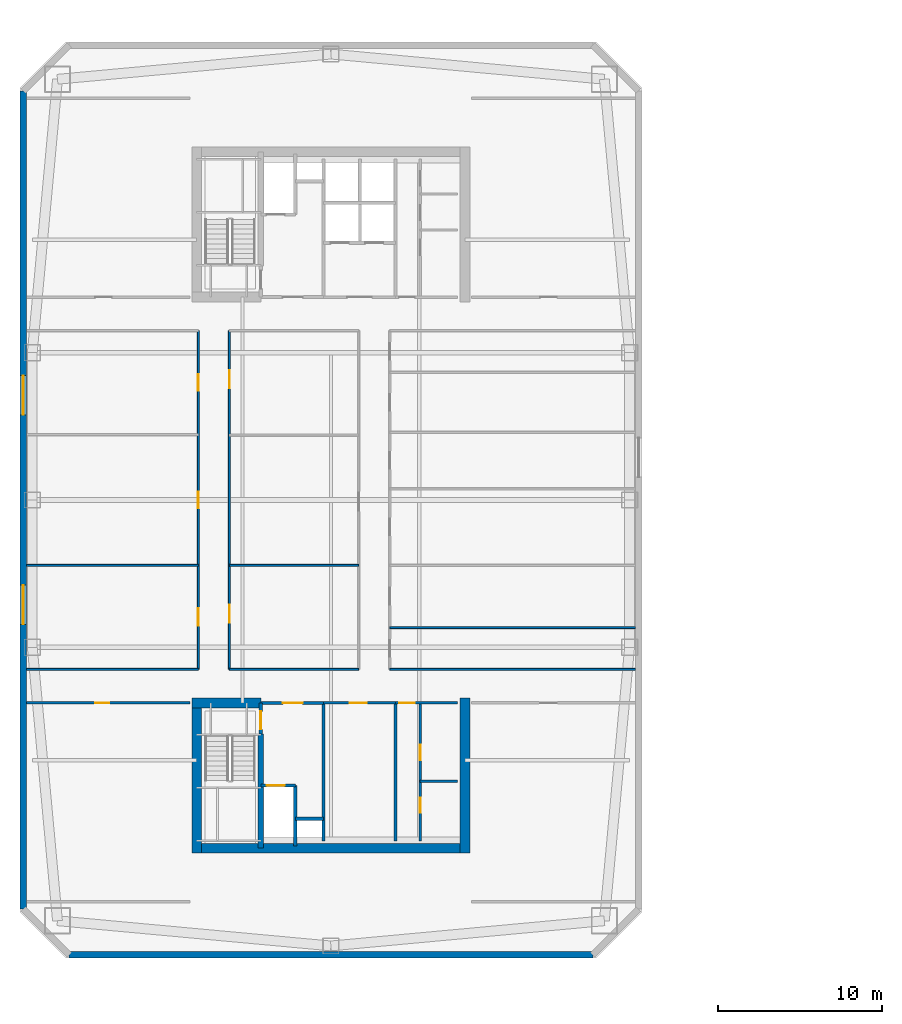
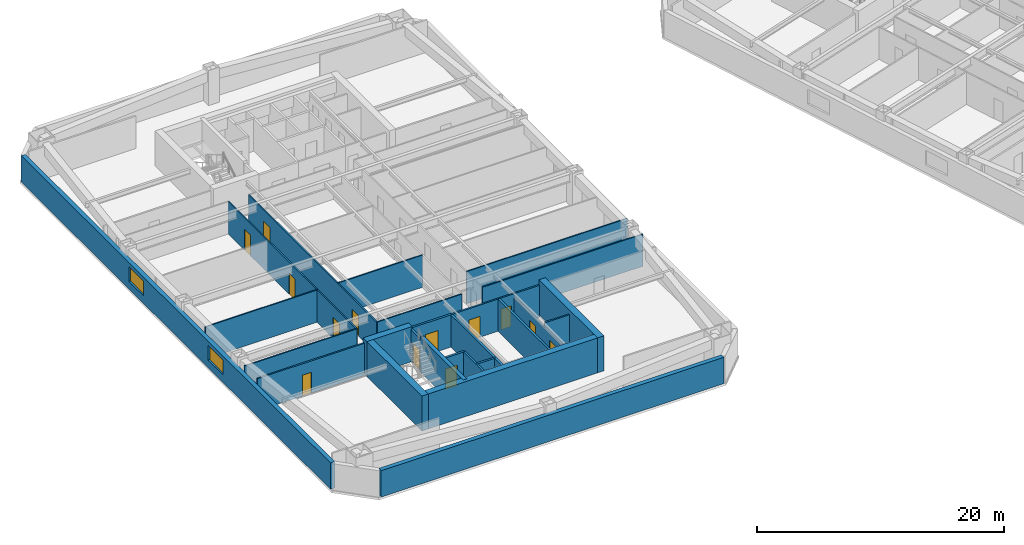
# One storey, part 3 of 11: 27 walls, 13 doors, 2 windows, 15 openings.
"""IFC4 building model written with IfcOpenShell, lengths in metres."""

from ifc_helpers import new_model, si_unit, direction, frame, frame_2d, origin, place, context, subcontext, project, spatial, rectangle, extrude, material, layer, layer_set, type_object, element, fill, save


model = new_model("IFC4")

# Units and contexts
model_context = context("Model", 3, precision=1e-05, world=origin(), true_north=direction((0.0, 1.0)))
body_context = subcontext(model_context, "Body", "Model", "MODEL_VIEW")
ifc_project = project(units=[si_unit("LENGTHUNIT", "METRE"), si_unit("AREAUNIT", "SQUARE_METRE"), si_unit("VOLUMEUNIT", "CUBIC_METRE"), si_unit("PLANEANGLEUNIT", "RADIAN"), si_unit("MASSUNIT", "GRAM", prefix="KILO")], contexts=[model_context])

# Site, building, storey
site_placement = place(None, origin())
site = spatial("IfcSite", under=ifc_project, at=site_placement, CompositionType="ELEMENT")
building_placement = place(site_placement, origin())
building = spatial("IfcBuilding", under=site, at=building_placement, Name="Qiaolan Cultural Towers", CompositionType="ELEMENT")
storey_placement = place(building_placement, frame((0.0, 0.0, 117.300048828125)))
storey = spatial("IfcBuildingStorey", under=building, at=storey_placement, Name="L30", CompositionType="ELEMENT", Elevation=117.300048828125)

# Walls
ifc_material_1 = material(Name="Concrete C50", Category="concrete")
ifc_layer_1 = layer(ifc_material_1, 0.35009765625)
ifc_layer_set_1 = layer_set([ifc_layer_1], Name="Concrete C50")
wall_type_1 = type_object("IfcWallType", Name="WL-CORE-350", PredefinedType="SHEAR", material=ifc_layer_set_1)
wall_1_placement = place(storey_placement, frame((25.719970703125, 19.699951171875, 0.0), z_axis=(0.0, 0.0, 1.0), x_axis=(0.0, -1.0, 0.0)))
element("IfcWall", 1, at=wall_1_placement, inside=storey, type_object=wall_type_1, Name="L30 T1-CS Stair Core Dividing Web", PredefinedType="SHEAR", context=body_context, shape_type="SweptSolid", body=[
    extrude(rectangle(XDim=6.97998046875, YDim=0.35009765625, at=frame_2d((3.489990234375, 0.0))), origin(), (0.0, 0.0, 1.0), 3.449951171875),
])
ifc_material_2 = material(Name="Concrete C55", Category="concrete")
ifc_layer_2 = layer(ifc_material_2, 0.60009765625)
ifc_layer_set_2 = layer_set([ifc_layer_2], Name="Concrete C55")
wall_type_2 = type_object("IfcWallType", Name="WL-CORE-600", PredefinedType="SHEAR", material=ifc_layer_set_2)
wall_2_placement = place(storey_placement, frame((21.5, 12.719970703125, 0.0), z_axis=(0.0, 0.0, 1.0), x_axis=(1.0, 0.0, 0.0)))
element("IfcWall", 2, at=wall_2_placement, inside=storey, type_object=wall_type_2, Name="L30 T1-CS Outer Core Shear Wall", PredefinedType="SHEAR", context=body_context, shape_type="SweptSolid", body=[
    extrude(rectangle(XDim=17.0, YDim=0.60009765625, at=frame_2d((8.5, 0.0))), origin(), (0.0, 0.0, 1.0), 3.449951171875),
])
for number, where, z_axis, x_axis, name in (
    (3, (21.800048828125, 21.89990234375, 0.0), (0.0, 0.0, 1.0), (0.0, -1.0, 0.0), "L30 T1-CS West Core Shear Wall"),
    (4, (38.199951171875, 21.89990234375, 0.0), (0.0, 0.0, 1.0), (0.0, -1.0, 0.0), "L30 T1-CS East Core Shear Wall"),
):
    element("IfcWall", number, at=place(storey_placement, frame(where, z_axis=z_axis, x_axis=x_axis)), inside=storey, type_object=wall_type_2, Name=name, PredefinedType="SHEAR", context=body_context, shape_type="SweptSolid", body=[
        extrude(rectangle(XDim=9.47998046875, YDim=0.60009765625, at=frame_2d((4.739990234375, 0.0))), origin(), (0.0, 0.0, 1.0), 3.449951171875),
    ])
wall_3_placement = place(storey_placement, frame((21.5, 21.60009765625, 0.0), z_axis=(0.0, 0.0, 1.0), x_axis=(1.0, 0.0, 0.0)))
element("IfcWall", 5, at=wall_3_placement, inside=storey, type_object=wall_type_2, Name="L30 T1-CS Stair Front Shear Wall", PredefinedType="SHEAR", context=body_context, shape_type="SweptSolid", body=[
    extrude(rectangle(XDim=4.219970703125, YDim=0.60009765625, at=frame_2d((2.10986328125, 0.0))), origin(), (0.0, 0.0, 1.0), 3.449951171875),
])

# Wall, openings, windows
ifc_material_3 = material(Name="Precast Concrete C50 Honed Stone Pier", Category="masonry")
ifc_layer_3 = layer(ifc_material_3, 0.39990234375)
ifc_layer_set_3 = layer_set([ifc_layer_3], Name="Precast Concrete C50 Honed Stone Pier")
wall_type_3 = type_object("IfcWallType", Name="WL-EXT-PIER-400", PredefinedType="SOLIDWALL", material=ifc_layer_set_3)
wall_4_placement = place(storey_placement, frame((11.199951171875, 9.0, 0.0), z_axis=(0.0, 0.0, 1.0), x_axis=(0.0, 1.0, 0.0)))
wall_4 = element("IfcWall", 6, at=wall_4_placement, inside=storey, type_object=wall_type_3, Name="L30 West Tower Precast Pier Facade Wall F1", PredefinedType="SOLIDWALL", context=body_context, shape_type="SweptSolid", body=[
    extrude(rectangle(XDim=50.0, YDim=0.39990234375, at=frame_2d((25.0, 0.0))), origin(), (0.0, 0.0, 1.0), 2.60986328125),
])
opening_1_placement = place(wall_4_placement, frame((17.39990234375, 0.0, 0.75)))
opening_1 = element("IfcOpeningElement", 7, at=opening_1_placement, cuts=wall_4, Name="Opening W-02", PredefinedType="OPENING", context=body_context, shape_type="SweptSolid", body=[
    extrude(rectangle(XDim=2.39990234375, YDim=1.4599609375, at=frame_2d((1.199951171875, 0.72998046875))), frame((0.0, 0.2099609375, 0.0), z_axis=(0.0, -1.0, 0.0), x_axis=(1.0, 0.0, 0.0)), (0.0, 0.0, 1.0), 0.419921875),
])
opening_2_placement = place(wall_4_placement, frame((30.199951171875, 0.0, 0.75)))
opening_2 = element("IfcOpeningElement", 8, at=opening_2_placement, cuts=wall_4, Name="Opening W-02", PredefinedType="OPENING", context=body_context, shape_type="SweptSolid", body=[
    extrude(rectangle(XDim=2.39990234375, YDim=1.4599609375, at=frame_2d((1.199951171875, 0.72998046875))), frame((0.0, 0.2099609375, 0.0), z_axis=(0.0, -1.0, 0.0), x_axis=(1.0, 0.0, 0.0)), (0.0, 0.0, 1.0), 0.419921875),
])
ifc_material_4 = material(Name="Thermally Broken Aluminium Triple Low-E Glazing", Category="aluminium")
window_type = type_object("IfcWindowType", Name="WN-CHIC-2400", PartitioningType="SINGLE_PANEL", PredefinedType="WINDOW", material=ifc_material_4)
window_1_placement = place(opening_1_placement, origin())
window_1 = element("IfcWindow", 9, at=window_1_placement, inside=storey, type_object=window_type, Name="L30 T1 W Chicago Bay Window 1", OverallHeight=1.4599609375, OverallWidth=2.39990234375, PartitioningType="TRIPLE_PANEL_VERTICAL", PredefinedType="WINDOW", context=body_context, shape_type="SweptSolid", body=[
    extrude(rectangle(XDim=2.39990234375, YDim=1.4599609375, at=frame_2d((1.199951171875, 0.72998046875))), frame((0.0, 0.030029296875, 0.0), z_axis=(0.0, -1.0, 0.0), x_axis=(1.0, 0.0, 0.0)), (0.0, 0.0, 1.0), 0.06005859375),
])
fill(opening_1, window_1)
window_2_placement = place(opening_2_placement, origin())
window_2 = element("IfcWindow", 10, at=window_2_placement, inside=storey, type_object=window_type, Name="L30 T1 W Chicago Bay Window 2", OverallHeight=1.4599609375, OverallWidth=2.39990234375, PartitioningType="TRIPLE_PANEL_VERTICAL", PredefinedType="WINDOW", context=body_context, shape_type="SweptSolid", body=[
    extrude(rectangle(XDim=2.39990234375, YDim=1.4599609375, at=frame_2d((1.199951171875, 0.72998046875))), frame((0.0, 0.030029296875, 0.0), z_axis=(0.0, -1.0, 0.0), x_axis=(1.0, 0.0, 0.0)), (0.0, 0.0, 1.0), 0.06005859375),
])
fill(opening_2, window_2)

# Wall
wall_5_placement = place(storey_placement, frame((46.0, 6.199951171875, 0.0), z_axis=(0.0, 0.0, 1.0), x_axis=(-1.0, 0.0, 0.0)))
element("IfcWall", 11, at=wall_5_placement, inside=storey, type_object=wall_type_3, Name="L30 West Tower Precast Pier Facade Wall F7", PredefinedType="SOLIDWALL", context=body_context, shape_type="SweptSolid", body=[
    extrude(rectangle(XDim=32.0, YDim=0.39990234375, at=frame_2d((16.0, 0.0))), origin(), (0.0, 0.0, 1.0), 2.60986328125),
])

# Wall, opening, door
ifc_material_5 = material(Name="Concrete C35 Fire Wall", Category="concrete")
ifc_layer_4 = layer(ifc_material_5, 0.199951171875)
ifc_layer_set_4 = layer_set([ifc_layer_4], Name="Concrete C35 Fire Wall")
wall_type_4 = type_object("IfcWallType", Name="WL-FIRE-200", PredefinedType="PARTITIONING", material=ifc_layer_set_4)
wall_6_placement = place(storey_placement, frame((25.719970703125, 21.60009765625, 0.0), z_axis=(0.0, 0.0, 1.0), x_axis=(0.0, -1.0, 0.0)))
wall_6 = element("IfcWall", 12, at=wall_6_placement, inside=storey, type_object=wall_type_4, Name="L30 T1-CS Smokeproof Stair Entry Wall", PredefinedType="PARTITIONING", context=body_context, shape_type="SweptSolid", body=[
    extrude(rectangle(XDim=1.900146484375, YDim=0.199951171875, at=frame_2d((0.9501953125, 0.0))), origin(), (0.0, 0.0, 1.0), 3.175048828125),
])
opening_3_placement = place(wall_6_placement, frame((0.52001953125, 0.0, 0.0)))
opening_3 = element("IfcOpeningElement", 13, at=opening_3_placement, cuts=wall_6, Name="Opening FD-04", PredefinedType="OPENING", context=body_context, shape_type="SweptSolid", body=[
    extrude(rectangle(XDim=1.10009765625, YDim=2.050048828125, at=frame_2d((0.550048828125, 1.02490234375))), frame((0.0, 0.10986328125, 0.0), z_axis=(0.0, -1.0, 0.0), x_axis=(1.0, 0.0, 0.0)), (0.0, 0.0, 1.0), 0.219970703125),
])
ifc_material_6 = material(Name="Galvanized Steel Command Fire Door", Category="steel")
door_type_1 = type_object("IfcDoorType", Name="DR-FD90-1100", OperationType="NOTDEFINED", PredefinedType="DOOR", material=ifc_material_6)
door_1_placement = place(opening_3_placement, origin())
door_1 = element("IfcDoor", 14, at=door_1_placement, inside=storey, type_object=door_type_1, Name="L30 ST-W1 Smokeproof Stair Fire Door", OperationType="SINGLE_SWING_LEFT", OverallHeight=2.050048828125, OverallWidth=1.10009765625, PredefinedType="DOOR", context=body_context, shape_type="SweptSolid", body=[
    extrude(rectangle(XDim=1.10009765625, YDim=2.050048828125, at=frame_2d((0.550048828125, 1.02490234375))), frame((0.0, 0.02490234375, 0.0), z_axis=(0.0, -1.0, 0.0), x_axis=(1.0, 0.0, 0.0)), (0.0, 0.0, 1.0), 0.050048828125),
])
fill(opening_3, door_1)

# Wall
wall_7_placement = place(storey_placement, frame((29.550048828125, 21.60009765625, 0.0), z_axis=(0.0, 0.0, 1.0), x_axis=(0.0, -1.0, 0.0)))
element("IfcWall", 15, at=wall_7_placement, inside=storey, type_object=wall_type_4, Name="L30 T1-CS Firefighting Zone Wall", PredefinedType="PARTITIONING", context=body_context, shape_type="SweptSolid", body=[
    extrude(rectangle(XDim=8.43017578125, YDim=0.199951171875, at=frame_2d((4.215087890625, 0.0))), origin(), (0.0, 0.0, 1.0), 3.175048828125),
])

# Wall, opening, door
wall_8_placement = place(storey_placement, frame((25.719970703125, 21.60009765625, 0.0), z_axis=(0.0, 0.0, 1.0), x_axis=(1.0, 0.0, 0.0)))
wall_8 = element("IfcWall", 16, at=wall_8_placement, inside=storey, type_object=wall_type_4, Name="L30 T1-CS Firefighting Lobby Front Wall", PredefinedType="PARTITIONING", context=body_context, shape_type="SweptSolid", body=[
    extrude(rectangle(XDim=3.830078125, YDim=0.199951171875, at=frame_2d((1.9150390625, 0.0))), origin(), (0.0, 0.0, 1.0), 3.175048828125),
])
opening_4_placement = place(wall_8_placement, frame((1.35009765625, 0.0, 0.0)))
opening_4 = element("IfcOpeningElement", 17, at=opening_4_placement, cuts=wall_8, Name="Opening FD-03", PredefinedType="OPENING", context=body_context, shape_type="SweptSolid", body=[
    extrude(rectangle(XDim=1.199951171875, YDim=2.050048828125, at=frame_2d((0.60009765625, 1.02490234375))), frame((0.0, 0.10986328125, 0.0), z_axis=(0.0, -1.0, 0.0), x_axis=(1.0, 0.0, 0.0)), (0.0, 0.0, 1.0), 0.219970703125),
])
ifc_material_7 = material(Name="Galvanized Steel Smokeproof Lobby Fire Door", Category="steel")
door_type_2 = type_object("IfcDoorType", Name="DR-FD90-1200", OperationType="NOTDEFINED", PredefinedType="DOOR", material=ifc_material_7)
door_2_placement = place(opening_4_placement, origin())
door_2 = element("IfcDoor", 18, at=door_2_placement, inside=storey, type_object=door_type_2, Name="L30 FFL-W1 Firefighting Lobby Fire Door", OperationType="SINGLE_SWING_LEFT", OverallHeight=2.050048828125, OverallWidth=1.199951171875, PredefinedType="DOOR", context=body_context, shape_type="SweptSolid", body=[
    extrude(rectangle(XDim=1.199951171875, YDim=2.050048828125, at=frame_2d((0.60009765625, 1.02490234375))), frame((0.0, 0.02490234375, 0.0), z_axis=(0.0, -1.0, 0.0), x_axis=(1.0, 0.0, 0.0)), (0.0, 0.0, 1.0), 0.050048828125),
])
fill(opening_4, door_2)

wall_9_placement = place(storey_placement, frame((25.719970703125, 16.550048828125, 0.0), z_axis=(0.0, 0.0, 1.0), x_axis=(1.0, 0.0, 0.0)))
wall_9 = element("IfcWall", 19, at=wall_9_placement, inside=storey, type_object=wall_type_4, Name="L30 T1-CS Firefighting Shaft Front Wall", PredefinedType="PARTITIONING", context=body_context, shape_type="SweptSolid", body=[
    extrude(rectangle(XDim=2.10009765625, YDim=0.199951171875, at=frame_2d((1.050048828125, 0.0))), origin(), (0.0, 0.0, 1.0), 3.175048828125),
])
opening_5_placement = place(wall_9_placement, frame((0.35009765625, 0.0, 0.0)))
opening_5 = element("IfcOpeningElement", 20, at=opening_5_placement, cuts=wall_9, Name="Opening LD-01", PredefinedType="OPENING", context=body_context, shape_type="SweptSolid", body=[
    extrude(rectangle(XDim=1.10009765625, YDim=2.050048828125, at=frame_2d((0.550048828125, 1.02490234375))), frame((0.0, 0.10986328125, 0.0), z_axis=(0.0, -1.0, 0.0), x_axis=(1.0, 0.0, 0.0)), (0.0, 0.0, 1.0), 0.219970703125),
])
ifc_material_8 = material(Name="Brushed Stainless Steel S30408 Centre-Parting Lift Landing Door", Category="steel")
door_type_3 = type_object("IfcDoorType", Name="DR-LIFT-1100", OperationType="NOTDEFINED", PredefinedType="DOOR", material=ifc_material_8)
door_3_placement = place(opening_5_placement, origin())
door_3 = element("IfcDoor", 21, at=door_3_placement, inside=storey, type_object=door_type_3, Name="L30 FFL-W1 Firefighting Lift Landing Door", OperationType="DOUBLE_DOOR_SLIDING", OverallHeight=2.050048828125, OverallWidth=1.10009765625, PredefinedType="DOOR", context=body_context, shape_type="SweptSolid", body=[
    extrude(rectangle(XDim=1.10009765625, YDim=2.050048828125, at=frame_2d((0.550048828125, 1.02490234375))), frame((0.0, 0.02490234375, 0.0), z_axis=(0.0, -1.0, 0.0), x_axis=(1.0, 0.0, 0.0)), (0.0, 0.0, 1.0), 0.050048828125),
])
fill(opening_5, door_3)

# Walls
wall_10_placement = place(storey_placement, frame((27.820068359375, 16.550048828125, 0.0), z_axis=(0.0, 0.0, 1.0), x_axis=(0.0, -1.0, 0.0)))
element("IfcWall", 22, at=wall_10_placement, inside=storey, type_object=wall_type_4, Name="L30 T1-CS Firefighting Hoistway East Wall", PredefinedType="PARTITIONING", context=body_context, shape_type="SweptSolid", body=[
    extrude(rectangle(XDim=3.699951171875, YDim=0.199951171875, at=frame_2d((1.85009765625, 0.0))), origin(), (0.0, 0.0, 1.0), 3.175048828125),
])
wall_11_placement = place(storey_placement, frame((27.820068359375, 14.52001953125, 0.0), z_axis=(0.0, 0.0, 1.0), x_axis=(1.0, 0.0, 0.0)))
element("IfcWall", 23, at=wall_11_placement, inside=storey, type_object=wall_type_4, Name="L30 T1-CS Pressurization Shaft Front Wall", PredefinedType="PARTITIONING", context=body_context, shape_type="SweptSolid", body=[
    extrude(rectangle(XDim=1.72998046875, YDim=0.199951171875, at=frame_2d((0.864990234375, 0.0))), origin(), (0.0, 0.0, 1.0), 3.175048828125),
])
wall_12_placement = place(storey_placement, frame((33.949951171875, 21.60009765625, 0.0), z_axis=(0.0, 0.0, 1.0), x_axis=(0.0, -1.0, 0.0)))
element("IfcWall", 24, at=wall_12_placement, inside=storey, type_object=wall_type_4, Name="L30 T1-CS Lift Core East Wall", PredefinedType="PARTITIONING", context=body_context, shape_type="SweptSolid", body=[
    extrude(rectangle(XDim=8.43017578125, YDim=0.199951171875, at=frame_2d((4.215087890625, 0.0))), origin(), (0.0, 0.0, 1.0), 3.175048828125),
])
ifc_material_9 = material(Name="Gypsum Stud Acoustic Partition", Category="gypsum")
ifc_layer_5 = layer(ifc_material_9, 0.1201171875)
ifc_layer_set_5 = layer_set([ifc_layer_5], Name="Gypsum Stud Acoustic Partition")
wall_type_5 = type_object("IfcWallType", Name="WL-PART-120", PredefinedType="PARTITIONING", material=ifc_layer_set_5)
wall_13_placement = place(storey_placement, frame((11.39990234375, 23.64990234375, 0.0), z_axis=(0.0, 0.0, 1.0), x_axis=(1.0, 0.0, 0.0)))
element("IfcWall", 25, at=wall_13_placement, inside=storey, type_object=wall_type_5, Name="L30 T1 Interior Wall", PredefinedType="PARTITIONING", context=body_context, shape_type="SweptSolid", body=[
    extrude(rectangle(XDim=10.5, YDim=0.1201171875, at=frame_2d((5.25, 0.0))), origin(), (0.0, 0.0, 1.0), 3.175048828125),
])
wall_14_placement = place(storey_placement, frame((23.800048828125, 23.64990234375, 0.0), z_axis=(0.0, 0.0, 1.0), x_axis=(1.0, 0.0, 0.0)))
element("IfcWall", 26, at=wall_14_placement, inside=storey, type_object=wall_type_5, Name="L30 T1 Interior Wall", PredefinedType="PARTITIONING", context=body_context, shape_type="SweptSolid", body=[
    extrude(rectangle(XDim=7.89990234375, YDim=0.1201171875, at=frame_2d((3.949951171875, 0.0))), origin(), (0.0, 0.0, 1.0), 3.175048828125),
])
wall_15_placement = place(storey_placement, frame((33.60009765625, 23.64990234375, 0.0), z_axis=(0.0, 0.0, 1.0), x_axis=(1.0, 0.0, 0.0)))
element("IfcWall", 27, at=wall_15_placement, inside=storey, type_object=wall_type_5, Name="L30 T1 Interior Wall", PredefinedType="PARTITIONING", context=body_context, shape_type="SweptSolid", body=[
    extrude(rectangle(XDim=15.0, YDim=0.1201171875, at=frame_2d((7.5, 0.0))), origin(), (0.0, 0.0, 1.0), 3.175048828125),
])

# Wall, openings, doors
wall_16_placement = place(storey_placement, frame((21.89990234375, 23.64990234375, 0.0), z_axis=(0.0, 0.0, 1.0), x_axis=(0.0, 1.0, 0.0)))
wall_16 = element("IfcWall", 28, at=wall_16_placement, inside=storey, type_object=wall_type_5, Name="L30 T1 Interior Wall", PredefinedType="PARTITIONING", context=body_context, shape_type="SweptSolid", body=[
    extrude(rectangle(XDim=20.7001953125, YDim=0.1201171875, at=frame_2d((10.35009765625, 0.0))), origin(), (0.0, 0.0, 1.0), 3.175048828125),
])
opening_6_placement = place(wall_16_placement, frame((2.675048828125, 0.0, 0.0)))
opening_6 = element("IfcOpeningElement", 29, at=opening_6_placement, cuts=wall_16, Name="Opening ID-07", PredefinedType="OPENING", context=body_context, shape_type="SweptSolid", body=[
    extrude(rectangle(XDim=1.050048828125, YDim=2.050048828125, at=frame_2d((0.52490234375, 1.02490234375))), frame((0.0, 0.070068359375, 0.0), z_axis=(0.0, -1.0, 0.0), x_axis=(1.0, 0.0, 0.0)), (0.0, 0.0, 1.0), 0.14013671875),
])
opening_7_placement = place(wall_16_placement, frame((9.85009765625, 0.0, 0.0)))
opening_7 = element("IfcOpeningElement", 30, at=opening_7_placement, cuts=wall_16, Name="Opening ID-04", PredefinedType="OPENING", context=body_context, shape_type="SweptSolid", body=[
    extrude(rectangle(XDim=1.0, YDim=2.050048828125, at=frame_2d((0.5, 1.02490234375))), frame((0.0, 0.070068359375, 0.0), z_axis=(0.0, -1.0, 0.0), x_axis=(1.0, 0.0, 0.0)), (0.0, 0.0, 1.0), 0.14013671875),
])
opening_8_placement = place(wall_16_placement, frame((17.02490234375, 0.0, 0.0)))
opening_8 = element("IfcOpeningElement", 31, at=opening_8_placement, cuts=wall_16, Name="Opening ID-04", PredefinedType="OPENING", context=body_context, shape_type="SweptSolid", body=[
    extrude(rectangle(XDim=1.0, YDim=2.050048828125, at=frame_2d((0.5, 1.02490234375))), frame((0.0, 0.070068359375, 0.0), z_axis=(0.0, -1.0, 0.0), x_axis=(1.0, 0.0, 0.0)), (0.0, 0.0, 1.0), 0.14013671875),
])
ifc_material_10 = material(Name="Oak Veneer Acoustic Office Door", Category="timber")
door_type_4 = type_object("IfcDoorType", Name="DR-INT-1000", OperationType="NOTDEFINED", PredefinedType="DOOR", material=ifc_material_10)
door_4_placement = place(opening_7_placement, origin())
door_4 = element("IfcDoor", 32, at=door_4_placement, inside=storey, type_object=door_type_4, Name="L30 T1 Publication Showroom Door", OperationType="SINGLE_SWING_RIGHT", OverallHeight=2.050048828125, OverallWidth=1.0, PredefinedType="DOOR", context=body_context, shape_type="SweptSolid", body=[
    extrude(rectangle(XDim=1.0, YDim=2.050048828125, at=frame_2d((0.5, 1.02490234375))), frame((0.0, 0.02490234375, 0.0), z_axis=(0.0, -1.0, 0.0), x_axis=(1.0, 0.0, 0.0)), (0.0, 0.0, 1.0), 0.050048828125),
])
fill(opening_7, door_4)
door_5_placement = place(opening_8_placement, origin())
door_5 = element("IfcDoor", 33, at=door_5_placement, inside=storey, type_object=door_type_4, Name="L30 T1 Cataloguing Kitchenette Door", OperationType="SINGLE_SWING_LEFT", OverallHeight=2.050048828125, OverallWidth=1.0, PredefinedType="DOOR", context=body_context, shape_type="SweptSolid", body=[
    extrude(rectangle(XDim=1.0, YDim=2.050048828125, at=frame_2d((0.5, 1.02490234375))), frame((0.0, 0.02490234375, 0.0), z_axis=(0.0, -1.0, 0.0), x_axis=(1.0, 0.0, 0.0)), (0.0, 0.0, 1.0), 0.050048828125),
])
fill(opening_8, door_5)
ifc_material_11 = material(Name="Oak Veneer Consultation Door", Category="timber")
door_type_5 = type_object("IfcDoorType", Name="DR-INT-1050", OperationType="NOTDEFINED", PredefinedType="DOOR", material=ifc_material_11)
door_6_placement = place(opening_6_placement, origin())
door_6 = element("IfcDoor", 34, at=door_6_placement, inside=storey, type_object=door_type_5, Name="L30 T1 Publication Showroom Door", OperationType="SINGLE_SWING_LEFT", OverallHeight=2.050048828125, OverallWidth=1.050048828125, PredefinedType="DOOR", context=body_context, shape_type="SweptSolid", body=[
    extrude(rectangle(XDim=1.050048828125, YDim=2.050048828125, at=frame_2d((0.52490234375, 1.02490234375))), frame((0.0, 0.02490234375, 0.0), z_axis=(0.0, -1.0, 0.0), x_axis=(1.0, 0.0, 0.0)), (0.0, 0.0, 1.0), 0.050048828125),
])
fill(opening_6, door_6)

wall_17_placement = place(storey_placement, frame((23.800048828125, 23.64990234375, 0.0), z_axis=(0.0, 0.0, 1.0), x_axis=(0.0, 1.0, 0.0)))
wall_17 = element("IfcWall", 35, at=wall_17_placement, inside=storey, type_object=wall_type_5, Name="L30 T1 Interior Wall", PredefinedType="PARTITIONING", context=body_context, shape_type="SweptSolid", body=[
    extrude(rectangle(XDim=20.7001953125, YDim=0.1201171875, at=frame_2d((10.35009765625, 0.0))), origin(), (0.0, 0.0, 1.0), 3.175048828125),
])
opening_9_placement = place(wall_17_placement, frame((2.857421875, 0.0, 0.0)))
opening_9 = element("IfcOpeningElement", 36, at=opening_9_placement, cuts=wall_17, Name="Opening ID-03", PredefinedType="OPENING", context=body_context, shape_type="SweptSolid", body=[
    extrude(rectangle(XDim=1.10009765625, YDim=2.050048828125, at=frame_2d((0.550048828125, 1.02490234375))), frame((0.0, 0.070068359375, 0.0), z_axis=(0.0, -1.0, 0.0), x_axis=(1.0, 0.0, 0.0)), (0.0, 0.0, 1.0), 0.14013671875),
])
opening_10_placement = place(wall_17_placement, frame((17.188720703125, 0.0, 0.0)))
opening_10 = element("IfcOpeningElement", 37, at=opening_10_placement, cuts=wall_17, Name="Opening ID-03", PredefinedType="OPENING", context=body_context, shape_type="SweptSolid", body=[
    extrude(rectangle(XDim=1.10009765625, YDim=2.050048828125, at=frame_2d((0.550048828125, 1.02490234375))), frame((0.0, 0.070068359375, 0.0), z_axis=(0.0, -1.0, 0.0), x_axis=(1.0, 0.0, 0.0)), (0.0, 0.0, 1.0), 0.14013671875),
])
ifc_material_12 = material(Name="Oak Veneer Solid-Core Boardroom Door", Category="timber")
door_type_6 = type_object("IfcDoorType", Name="DR-INT-1100", OperationType="NOTDEFINED", PredefinedType="DOOR", material=ifc_material_12)
door_7_placement = place(opening_9_placement, origin())
door_7 = element("IfcDoor", 38, at=door_7_placement, inside=storey, type_object=door_type_6, Name="L30 T1 Central Boardroom Door", OperationType="SINGLE_SWING_LEFT", OverallHeight=2.050048828125, OverallWidth=1.10009765625, PredefinedType="DOOR", context=body_context, shape_type="SweptSolid", body=[
    extrude(rectangle(XDim=1.10009765625, YDim=2.050048828125, at=frame_2d((0.550048828125, 1.02490234375))), frame((0.0, 0.02490234375, 0.0), z_axis=(0.0, -1.0, 0.0), x_axis=(1.0, 0.0, 0.0)), (0.0, 0.0, 1.0), 0.050048828125),
])
fill(opening_9, door_7)
door_8_placement = place(opening_10_placement, origin())
door_8 = element("IfcDoor", 39, at=door_8_placement, inside=storey, type_object=door_type_6, Name="L30 T1 Central Archive Room Door", OperationType="SINGLE_SWING_RIGHT", OverallHeight=2.050048828125, OverallWidth=1.10009765625, PredefinedType="DOOR", context=body_context, shape_type="SweptSolid", body=[
    extrude(rectangle(XDim=1.10009765625, YDim=2.050048828125, at=frame_2d((0.550048828125, 1.02490234375))), frame((0.0, 0.02490234375, 0.0), z_axis=(0.0, -1.0, 0.0), x_axis=(1.0, 0.0, 0.0)), (0.0, 0.0, 1.0), 0.050048828125),
])
fill(opening_10, door_8)

# Walls
wall_18_placement = place(storey_placement, frame((23.800048828125, 30.0, 0.0), z_axis=(0.0, 0.0, 1.0), x_axis=(1.0, 0.0, 0.0)))
element("IfcWall", 40, at=wall_18_placement, inside=storey, type_object=wall_type_5, Name="L30 T1 Interior Wall", PredefinedType="PARTITIONING", context=body_context, shape_type="SweptSolid", body=[
    extrude(rectangle(XDim=7.89990234375, YDim=0.1201171875, at=frame_2d((3.949951171875, 0.0))), origin(), (0.0, 0.0, 1.0), 3.175048828125),
])
wall_19_placement = place(storey_placement, frame((11.39990234375, 30.0, 0.0), z_axis=(0.0, 0.0, 1.0), x_axis=(1.0, 0.0, 0.0)))
element("IfcWall", 41, at=wall_19_placement, inside=storey, type_object=wall_type_5, Name="L30 T1 Interior Wall", PredefinedType="PARTITIONING", context=body_context, shape_type="SweptSolid", body=[
    extrude(rectangle(XDim=10.5, YDim=0.1201171875, at=frame_2d((5.25, 0.0))), origin(), (0.0, 0.0, 1.0), 3.175048828125),
])
wall_20_placement = place(storey_placement, frame((33.60009765625, 26.199951171875, 0.0), z_axis=(0.0, 0.0, 1.0), x_axis=(1.0, 0.0, 0.0)))
element("IfcWall", 42, at=wall_20_placement, inside=storey, type_object=wall_type_5, Name="L30 T1 Interior Wall", PredefinedType="PARTITIONING", context=body_context, shape_type="SweptSolid", body=[
    extrude(rectangle(XDim=15.0, YDim=0.1201171875, at=frame_2d((7.5, 0.0))), origin(), (0.0, 0.0, 1.0), 3.175048828125),
])

# Wall, opening, door
ifc_material_13 = material(Name="Autoclaved Aerated Concrete Block B06", Category="concrete")
ifc_layer_6 = layer(ifc_material_13, 0.14990234375)
ifc_layer_set_6 = layer_set([ifc_layer_6], Name="Autoclaved Aerated Concrete Block B06")
wall_type_6 = type_object("IfcWallType", Name="WL-PART-150", PredefinedType="PARTITIONING", material=ifc_layer_set_6)
wall_21_placement = place(storey_placement, frame((29.550048828125, 21.60009765625, 0.0), z_axis=(0.0, 0.0, 1.0), x_axis=(1.0, 0.0, 0.0)))
wall_21 = element("IfcWall", 43, at=wall_21_placement, inside=storey, type_object=wall_type_6, Name="L30 T1-CS Reclaimed Core Room Front Wall", PredefinedType="PARTITIONING", context=body_context, shape_type="SweptSolid", body=[
    extrude(rectangle(XDim=4.39990234375, YDim=0.14990234375, at=frame_2d((2.199951171875, 0.0))), origin(), (0.0, 0.0, 1.0), 3.175048828125),
])
opening_11_placement = place(wall_21_placement, frame((1.60009765625, 0.0, 0.0)))
opening_11 = element("IfcOpeningElement", 44, at=opening_11_placement, cuts=wall_21, Name="Opening ID-07", PredefinedType="OPENING", context=body_context, shape_type="SweptSolid", body=[
    extrude(rectangle(XDim=1.050048828125, YDim=2.050048828125, at=frame_2d((0.52490234375, 1.02490234375))), frame((0.0, 0.0849609375, 0.0), z_axis=(0.0, -1.0, 0.0), x_axis=(1.0, 0.0, 0.0)), (0.0, 0.0, 1.0), 0.169921875),
])
door_9_placement = place(opening_11_placement, origin())
door_9 = element("IfcDoor", 45, at=door_9_placement, inside=storey, type_object=door_type_5, Name="L30 Reclaimed Archive Room Door", OperationType="SINGLE_SWING_LEFT", OverallHeight=2.050048828125, OverallWidth=1.050048828125, PredefinedType="DOOR", context=body_context, shape_type="SweptSolid", body=[
    extrude(rectangle(XDim=1.050048828125, YDim=2.050048828125, at=frame_2d((0.52490234375, 1.02490234375))), frame((0.0, 0.02490234375, 0.0), z_axis=(0.0, -1.0, 0.0), x_axis=(1.0, 0.0, 0.0)), (0.0, 0.0, 1.0), 0.050048828125),
])
fill(opening_11, door_9)

wall_22_placement = place(storey_placement, frame((33.949951171875, 21.60009765625, 0.0), z_axis=(0.0, 0.0, 1.0), x_axis=(1.0, 0.0, 0.0)))
wall_22 = element("IfcWall", 46, at=wall_22_placement, inside=storey, type_object=wall_type_6, Name="L30 T1-CS Sanitary Core Front Wall", PredefinedType="PARTITIONING", context=body_context, shape_type="SweptSolid", body=[
    extrude(rectangle(XDim=3.800048828125, YDim=0.14990234375, at=frame_2d((1.89990234375, 0.0))), origin(), (0.0, 0.0, 1.0), 3.175048828125),
])
opening_12_placement = place(wall_22_placement, frame((0.219970703125, 0.0, 0.0)))
opening_12 = element("IfcOpeningElement", 47, at=opening_12_placement, cuts=wall_22, Name="Opening ID-05", PredefinedType="OPENING", context=body_context, shape_type="SweptSolid", body=[
    extrude(rectangle(XDim=0.949951171875, YDim=2.050048828125, at=frame_2d((0.47509765625, 1.02490234375))), frame((0.0, 0.0849609375, 0.0), z_axis=(0.0, -1.0, 0.0), x_axis=(1.0, 0.0, 0.0)), (0.0, 0.0, 1.0), 0.169921875),
])
ifc_material_14 = material(Name="Fire-Rated Laminate Accessible Core Door", Category="timber")
door_type_7 = type_object("IfcDoorType", Name="DR-INT-950", OperationType="NOTDEFINED", PredefinedType="DOOR", material=ifc_material_14)
door_10_placement = place(opening_12_placement, origin())
door_10 = element("IfcDoor", 48, at=door_10_placement, inside=storey, type_object=door_type_7, Name="L30 Sanitary Lobby Door", OperationType="SINGLE_SWING_LEFT", OverallHeight=2.050048828125, OverallWidth=0.949951171875, PredefinedType="DOOR", context=body_context, shape_type="SweptSolid", body=[
    extrude(rectangle(XDim=0.949951171875, YDim=2.050048828125, at=frame_2d((0.47509765625, 1.02490234375))), frame((0.0, 0.02490234375, 0.0), z_axis=(0.0, -1.0, 0.0), x_axis=(1.0, 0.0, 0.0)), (0.0, 0.0, 1.0), 0.050048828125),
])
fill(opening_12, door_10)

# Wall, openings, doors
wall_23_placement = place(storey_placement, frame((35.449951171875, 21.60009765625, 0.0), z_axis=(0.0, 0.0, 1.0), x_axis=(0.0, -1.0, 0.0)))
wall_23 = element("IfcWall", 49, at=wall_23_placement, inside=storey, type_object=wall_type_6, Name="L30 T1-CS Washroom Split Wall", PredefinedType="PARTITIONING", context=body_context, shape_type="SweptSolid", body=[
    extrude(rectangle(XDim=8.43017578125, YDim=0.14990234375, at=frame_2d((4.215087890625, 0.0))), origin(), (0.0, 0.0, 1.0), 2.764892578125),
])
opening_13_placement = place(wall_23_placement, frame((2.550048828125, 0.0, 0.0)))
opening_13 = element("IfcOpeningElement", 50, at=opening_13_placement, cuts=wall_23, Name="Opening ID-05", PredefinedType="OPENING", context=body_context, shape_type="SweptSolid", body=[
    extrude(rectangle(XDim=0.949951171875, YDim=2.050048828125, at=frame_2d((0.47509765625, 1.02490234375))), frame((0.0, 0.0849609375, 0.0), z_axis=(0.0, -1.0, 0.0), x_axis=(1.0, 0.0, 0.0)), (0.0, 0.0, 1.0), 0.169921875),
])
opening_14_placement = place(wall_23_placement, frame((5.800048828125, 0.0, 0.0)))
opening_14 = element("IfcOpeningElement", 51, at=opening_14_placement, cuts=wall_23, Name="Opening ID-06", PredefinedType="OPENING", context=body_context, shape_type="SweptSolid", body=[
    extrude(rectangle(XDim=0.89990234375, YDim=2.050048828125, at=frame_2d((0.449951171875, 1.02490234375))), frame((0.0, 0.0849609375, 0.0), z_axis=(0.0, -1.0, 0.0), x_axis=(1.0, 0.0, 0.0)), (0.0, 0.0, 1.0), 0.169921875),
])
ifc_material_15 = material(Name="Fire-Rated Laminate Core Service Door", Category="timber")
door_type_8 = type_object("IfcDoorType", Name="DR-INT-900", OperationType="NOTDEFINED", PredefinedType="DOOR", material=ifc_material_15)
door_11_placement = place(opening_14_placement, origin())
door_11 = element("IfcDoor", 52, at=door_11_placement, inside=storey, type_object=door_type_8, Name="L30 First-Aid Room Door", OperationType="SINGLE_SWING_RIGHT", OverallHeight=2.050048828125, OverallWidth=0.89990234375, PredefinedType="DOOR", context=body_context, shape_type="SweptSolid", body=[
    extrude(rectangle(XDim=0.89990234375, YDim=2.050048828125, at=frame_2d((0.449951171875, 1.02490234375))), frame((0.0, 0.02490234375, 0.0), z_axis=(0.0, -1.0, 0.0), x_axis=(1.0, 0.0, 0.0)), (0.0, 0.0, 1.0), 0.050048828125),
])
fill(opening_14, door_11)
door_12_placement = place(opening_13_placement, origin())
door_12 = element("IfcDoor", 53, at=door_12_placement, inside=storey, type_object=door_type_7, Name="L30 Accessible Washroom Door", OperationType="SINGLE_SWING_LEFT", OverallHeight=2.050048828125, OverallWidth=0.949951171875, PredefinedType="DOOR", context=body_context, shape_type="SweptSolid", body=[
    extrude(rectangle(XDim=0.949951171875, YDim=2.050048828125, at=frame_2d((0.47509765625, 1.02490234375))), frame((0.0, 0.02490234375, 0.0), z_axis=(0.0, -1.0, 0.0), x_axis=(1.0, 0.0, 0.0)), (0.0, 0.0, 1.0), 0.050048828125),
])
fill(opening_13, door_12)

# Wall
wall_24_placement = place(storey_placement, frame((35.449951171875, 16.800048828125, 0.0), z_axis=(0.0, 0.0, 1.0), x_axis=(1.0, 0.0, 0.0)))
element("IfcWall", 54, at=wall_24_placement, inside=storey, type_object=wall_type_6, Name="L30 T1-CS First-Aid Wall", PredefinedType="PARTITIONING", context=body_context, shape_type="SweptSolid", body=[
    extrude(rectangle(XDim=2.300048828125, YDim=0.14990234375, at=frame_2d((1.14990234375, 0.0))), origin(), (0.0, 0.0, 1.0), 3.175048828125),
])

# Wall, opening, door
wall_25_placement = place(storey_placement, frame((11.39990234375, 21.60009765625, 0.0), z_axis=(0.0, 0.0, 1.0), x_axis=(1.0, 0.0, 0.0)))
wall_25 = element("IfcWall", 55, at=wall_25_placement, inside=storey, type_object=wall_type_6, Name="L30 T1 Flank Front FLK-SW", PredefinedType="PARTITIONING", context=body_context, shape_type="SweptSolid", body=[
    extrude(rectangle(XDim=10.0, YDim=0.14990234375, at=frame_2d((5.0, 0.0))), origin(), (0.0, 0.0, 1.0), 3.175048828125),
])
opening_15_placement = place(wall_25_placement, frame((4.199951171875, 0.0, 0.0)))
opening_15 = element("IfcOpeningElement", 56, at=opening_15_placement, cuts=wall_25, Name="Opening ID-09", PredefinedType="OPENING", context=body_context, shape_type="SweptSolid", body=[
    extrude(rectangle(XDim=0.85009765625, YDim=2.050048828125, at=frame_2d((0.425048828125, 1.02490234375))), frame((0.0, 0.0849609375, 0.0), z_axis=(0.0, -1.0, 0.0), x_axis=(1.0, 0.0, 0.0)), (0.0, 0.0, 1.0), 0.169921875),
])
ifc_material_16 = material(Name="Moisture-Resistant Laminate Utility Door", Category="timber")
door_type_9 = type_object("IfcDoorType", Name="DR-INT-850", OperationType="NOTDEFINED", PredefinedType="DOOR", material=ifc_material_16)
door_13_placement = place(opening_15_placement, origin())
door_13 = element("IfcDoor", 57, at=door_13_placement, inside=storey, type_object=door_type_9, Name="L30 T1 Corner Studio Door", OperationType="SINGLE_SWING_LEFT", OverallHeight=2.050048828125, OverallWidth=0.85009765625, PredefinedType="DOOR", context=body_context, shape_type="SweptSolid", body=[
    extrude(rectangle(XDim=0.85009765625, YDim=2.050048828125, at=frame_2d((0.425048828125, 1.02490234375))), frame((0.0, 0.02490234375, 0.0), z_axis=(0.0, -1.0, 0.0), x_axis=(1.0, 0.0, 0.0)), (0.0, 0.0, 1.0), 0.050048828125),
])
fill(opening_15, door_13)

save(model, "model.ifc")
